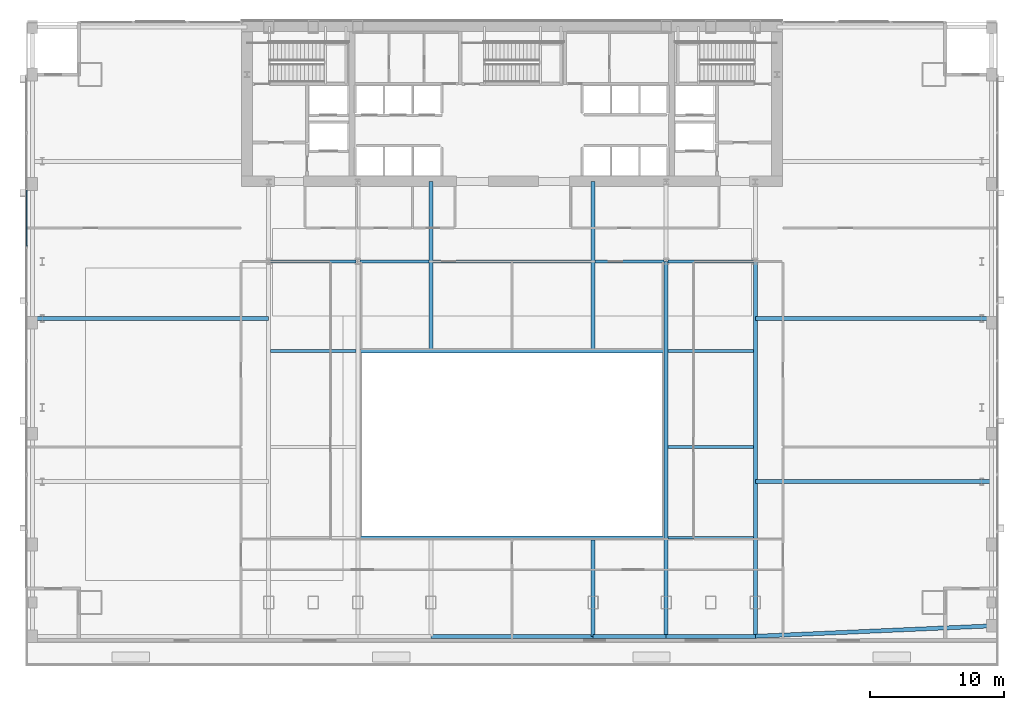
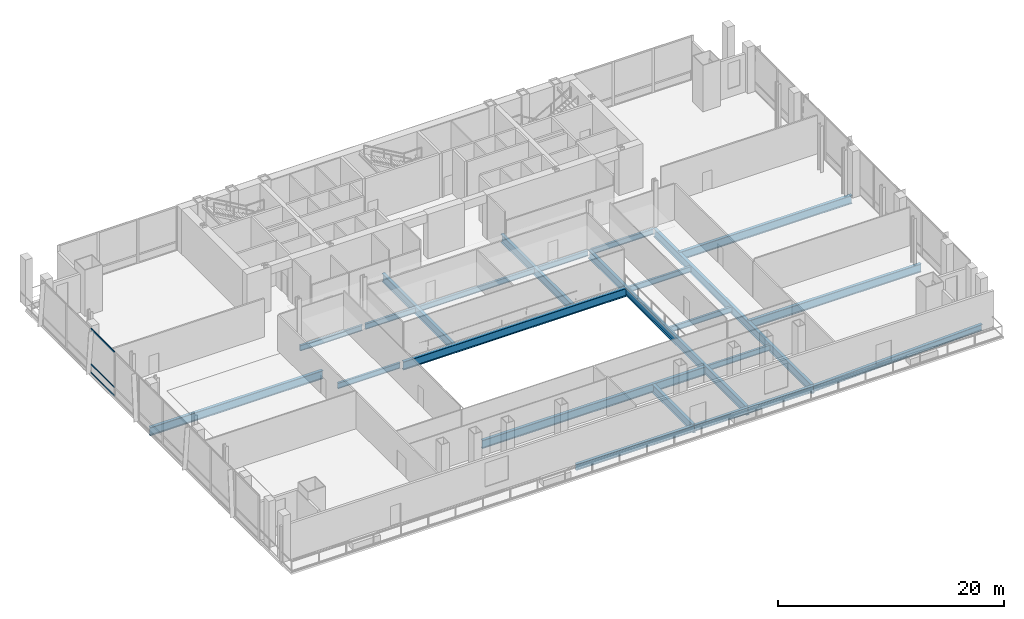
# One storey, part 9 of 25: 23 beams, 3 members, 1 element without a shape of its own.
"""IFC4 building model written with IfcOpenShell, lengths in metres."""

from ifc_helpers import new_model, si_unit, direction, frame, origin, origin_2d, place, context, subcontext, project, spatial, hollow_rectangle, i_section, extrude, material, material_profile, profile_set, type_object, element, aggregate, save


model = new_model("IFC4")

# Units and contexts
model_context = context("Model", 3, precision=1e-05, world=origin(), true_north=direction((0.0, 1.0)))
body_context = subcontext(model_context, "Body", "Model", "MODEL_VIEW")
ifc_project = project(units=[si_unit("LENGTHUNIT", "METRE"), si_unit("AREAUNIT", "SQUARE_METRE"), si_unit("VOLUMEUNIT", "CUBIC_METRE"), si_unit("PLANEANGLEUNIT", "RADIAN"), si_unit("MASSUNIT", "GRAM", prefix="KILO")], contexts=[model_context])

# Site, building, storey
site_placement = place(None, origin())
site = spatial("IfcSite", under=ifc_project, at=site_placement, CompositionType="ELEMENT")
building_placement = place(site_placement, origin())
building = spatial("IfcBuilding", under=site, at=building_placement, Name="Khoronbel Lancet Exchange", CompositionType="ELEMENT")
storey_placement = place(building_placement, frame((0.0, 0.0, 10.39990234375)))
storey = spatial("IfcBuildingStorey", under=building, at=storey_placement, Name="L02", CompositionType="ELEMENT", Elevation=10.39990234375)

# Beams
ifc_material_1 = material(Name="Steel S355", Category="steel")
ifc_material_profile_1 = material_profile(ifc_material_1, i_section(OverallWidth=0.300048828125, OverallDepth=0.89990234375, WebThickness=0.0185546875, FlangeThickness=0.034912109375, at=origin_2d()), Name="HEB 900")
ifc_profile_set_1 = profile_set([ifc_material_profile_1], Name="Steel S355")
beam_type_1 = type_object("IfcBeamType", Name="BM-BG1", PredefinedType="BEAM", material=ifc_profile_set_1)
for number, where, z_axis, x_axis, name in (
    (1, (25.050048828125, 15.0, -0.64990234375), (1.0, 0.0, 0.0), (0.0, 1.0, 0.0), "Level L02 exchange hall void header girder ATRS"),
    (2, (25.050048828125, 29.0, -0.64990234375), (1.0, 0.0, 0.0), (0.0, 1.0, 0.0), "Level L02 exchange hall void header girder ATRN"),
):
    element("IfcBeam", number, at=place(storey_placement, frame(where, z_axis=z_axis, x_axis=x_axis)), inside=storey, type_object=beam_type_1, Name=name, PredefinedType="BEAM", context=body_context, shape_type="SweptSolid", body=[
        extrude(i_section(OverallWidth=0.300048828125, OverallDepth=0.89990234375, WebThickness=0.0185546875, FlangeThickness=0.034912109375, at=origin_2d()), origin(), (0.0, 0.0, 1.0), 22.800048828125),
    ])
beam_1_placement = place(storey_placement, frame((30.375, 29.14990234375, -0.64990234375), z_axis=(0.0, 1.0, 0.0), x_axis=(-1.0, 0.0, 0.0)))
element("IfcBeam", 3, at=beam_1_placement, inside=storey, type_object=beam_type_1, Name="Level L02 north gallery girder GN3", PredefinedType="BEAM", context=body_context, shape_type="SweptSolid", body=[
    extrude(i_section(OverallWidth=0.300048828125, OverallDepth=0.89990234375, WebThickness=0.0185546875, FlangeThickness=0.034912109375, at=origin_2d()), origin(), (0.0, 0.0, 1.0), 12.550048828125),
])
beam_2_placement = place(storey_placement, frame((42.52490234375, 7.6201171875, -0.64990234375), z_axis=(0.0, 1.0, 0.0), x_axis=(-1.0, 0.0, 0.0)))
element("IfcBeam", 4, at=beam_2_placement, inside=storey, type_object=beam_type_1, Name="Level L02 south gallery & terrace cantilever girder GS4", PredefinedType="BEAM", context=body_context, shape_type="SweptSolid", body=[
    extrude(i_section(OverallWidth=0.300048828125, OverallDepth=0.89990234375, WebThickness=0.0185546875, FlangeThickness=0.034912109375, at=origin_2d()), origin(), (0.0, 0.0, 1.0), 7.22998046875),
])
beam_3_placement = place(storey_placement, frame((42.52490234375, 29.14990234375, -0.64990234375), z_axis=(0.0, 1.0, 0.0), x_axis=(-1.0, 0.0, 0.0)))
element("IfcBeam", 5, at=beam_3_placement, inside=storey, type_object=beam_type_1, Name="Level L02 north gallery girder GN4", PredefinedType="BEAM", context=body_context, shape_type="SweptSolid", body=[
    extrude(i_section(OverallWidth=0.300048828125, OverallDepth=0.89990234375, WebThickness=0.0185546875, FlangeThickness=0.034912109375, at=origin_2d()), origin(), (0.0, 0.0, 1.0), 12.550048828125),
])
for number, where, z_axis, x_axis, name in (
    (6, (48.0, 7.6201171875, -0.64990234375), (0.0, 1.0, 0.0), (-1.0, 0.0, 0.0), "Level L02 south primary girder GS5"),
    (7, (54.675048828125, 7.6201171875, -0.64990234375), (0.0, 1.0, 0.0), (-1.0, 0.0, 0.0), "Level L02 south primary girder GS6"),
):
    element("IfcBeam", number, at=place(storey_placement, frame(where, z_axis=z_axis, x_axis=x_axis)), inside=storey, type_object=beam_type_1, Name=name, PredefinedType="BEAM", context=body_context, shape_type="SweptSolid", body=[
        extrude(i_section(OverallWidth=0.300048828125, OverallDepth=0.89990234375, WebThickness=0.0185546875, FlangeThickness=0.034912109375, at=origin_2d()), origin(), (0.0, 0.0, 1.0), 28.079833984375),
    ])
for number, where, z_axis, x_axis, name in (
    (8, (54.675048828125, 19.199951171875, -0.64990234375), (1.0, 0.0, 0.0), (0.0, 1.0, 0.0), "Level L02 east lens tie girder LG1E"),
    (9, (0.550048828125, 31.425048828125, -0.64990234375), (1.0, 0.0, 0.0), (0.0, 1.0, 0.0), "Level L02 west lens tie girder LG2W"),
    (10, (54.675048828125, 31.425048828125, -0.64990234375), (1.0, 0.0, 0.0), (0.0, 1.0, 0.0), "Level L02 east lens tie girder LG2E"),
):
    element("IfcBeam", number, at=place(storey_placement, frame(where, z_axis=z_axis, x_axis=x_axis)), inside=storey, type_object=beam_type_1, Name=name, PredefinedType="BEAM", context=body_context, shape_type="SweptSolid", body=[
        extrude(i_section(OverallWidth=0.300048828125, OverallDepth=0.89990234375, WebThickness=0.0185546875, FlangeThickness=0.034912109375, at=origin_2d()), origin(), (0.0, 0.0, 1.0), 17.675048828125),
    ])
ifc_material_profile_2 = material_profile(ifc_material_1, i_section(OverallWidth=0.219970703125, OverallDepth=0.60009765625, WebThickness=0.011962890625, FlangeThickness=0.01904296875, at=origin_2d()), Name="IPE 600")
ifc_profile_set_2 = profile_set([ifc_material_profile_2], Name="Steel S355")
beam_type_2 = type_object("IfcBeamType", Name="BM-BJ1", PredefinedType="JOIST", material=ifc_profile_set_2)
for number, where, z_axis, x_axis, name in (
    (11, (48.14990234375, 15.0, -0.5), (1.0, 0.0, 0.0), (0.0, 1.0, 0.0), "Level L02 secondary composite joist J02"),
    (12, (48.14990234375, 21.800048828125, -0.5), (1.0, 0.0, 0.0), (0.0, 1.0, 0.0), "Level L02 secondary composite joist J04"),
    (13, (18.375, 29.0, -0.5), (1.0, 0.0, 0.0), (0.0, 1.0, 0.0), "Level L02 secondary composite joist J05"),
    (14, (48.14990234375, 29.0, -0.5), (1.0, 0.0, 0.0), (0.0, 1.0, 0.0), "Level L02 secondary composite joist J06"),
    (15, (18.375, 35.699951171875, -0.5), (1.0, 0.0, 0.0), (0.0, 1.0, 0.0), "Level L02 secondary composite joist J07"),
):
    element("IfcBeam", number, at=place(storey_placement, frame(where, z_axis=z_axis, x_axis=x_axis)), inside=storey, type_object=beam_type_2, Name=name, PredefinedType="JOIST", context=body_context, shape_type="SweptSolid", body=[
        extrude(i_section(OverallWidth=0.219970703125, OverallDepth=0.60009765625, WebThickness=0.011962890625, FlangeThickness=0.01904296875, at=origin_2d()), origin(), (0.0, 0.0, 1.0), 6.375),
    ])
beam_4_placement = place(storey_placement, frame((25.050048828125, 35.699951171875, -0.5), z_axis=(1.0, 0.0, 0.0), x_axis=(0.0, 1.0, 0.0)))
element("IfcBeam", 16, at=beam_4_placement, inside=storey, type_object=beam_type_2, Name="Level L02 secondary composite joist J08", PredefinedType="JOIST", context=body_context, shape_type="SweptSolid", body=[
    extrude(i_section(OverallWidth=0.219970703125, OverallDepth=0.60009765625, WebThickness=0.011962890625, FlangeThickness=0.01904296875, at=origin_2d()), origin(), (0.0, 0.0, 1.0), 5.175048828125),
])
beam_5_placement = place(storey_placement, frame((30.52490234375, 35.699951171875, -0.5), z_axis=(1.0, 0.0, 0.0), x_axis=(0.0, 1.0, 0.0)))
element("IfcBeam", 17, at=beam_5_placement, inside=storey, type_object=beam_type_2, Name="Level L02 secondary composite joist J09", PredefinedType="JOIST", context=body_context, shape_type="SweptSolid", body=[
    extrude(i_section(OverallWidth=0.219970703125, OverallDepth=0.60009765625, WebThickness=0.011962890625, FlangeThickness=0.01904296875, at=origin_2d()), origin(), (0.0, 0.0, 1.0), 11.85009765625),
])
beam_6_placement = place(storey_placement, frame((42.675048828125, 35.699951171875, -0.5), z_axis=(1.0, 0.0, 0.0), x_axis=(0.0, 1.0, 0.0)))
element("IfcBeam", 18, at=beam_6_placement, inside=storey, type_object=beam_type_2, Name="Level L02 secondary composite joist J10", PredefinedType="JOIST", context=body_context, shape_type="SweptSolid", body=[
    extrude(i_section(OverallWidth=0.219970703125, OverallDepth=0.60009765625, WebThickness=0.011962890625, FlangeThickness=0.01904296875, at=origin_2d()), origin(), (0.0, 0.0, 1.0), 5.175048828125),
])
beam_7_placement = place(storey_placement, frame((48.14990234375, 35.699951171875, -0.5), z_axis=(1.0, 0.0, 0.0), x_axis=(0.0, 1.0, 0.0)))
element("IfcBeam", 19, at=beam_7_placement, inside=storey, type_object=beam_type_2, Name="Level L02 secondary composite joist J11", PredefinedType="JOIST", context=body_context, shape_type="SweptSolid", body=[
    extrude(i_section(OverallWidth=0.219970703125, OverallDepth=0.60009765625, WebThickness=0.011962890625, FlangeThickness=0.01904296875, at=origin_2d()), origin(), (0.0, 0.0, 1.0), 6.375),
])
ifc_material_profile_3 = material_profile(ifc_material_1, i_section(OverallWidth=0.300048828125, OverallDepth=0.64990234375, WebThickness=0.01611328125, FlangeThickness=0.031005859375, at=origin_2d()), Name="HEB 650")
ifc_profile_set_3 = profile_set([ifc_material_profile_3], Name="Steel S355")
beam_type_3 = type_object("IfcBeamType", Name="BM-BSP1", PredefinedType="SPANDREL", material=ifc_profile_set_3)
beam_8_placement = place(storey_placement, frame((30.375, 7.6201171875, -0.52490234375), z_axis=(1.0, 0.0, 0.0), x_axis=(0.0, 1.0, 0.0)))
element("IfcBeam", 20, at=beam_8_placement, inside=storey, type_object=beam_type_3, Name="Level L02 perimeter spandrel beam SP04", PredefinedType="SPANDREL", context=body_context, shape_type="SweptSolid", body=[
    extrude(i_section(OverallWidth=0.300048828125, OverallDepth=0.64990234375, WebThickness=0.01611328125, FlangeThickness=0.031005859375, at=origin_2d()), origin(), (0.0, 0.0, 1.0), 12.14990234375),
])
beam_9_placement = place(storey_placement, frame((42.52490234375, 7.6201171875, -0.52490234375), z_axis=(1.0, 0.0, 0.0), x_axis=(0.0, 1.0, 0.0)))
element("IfcBeam", 21, at=beam_9_placement, inside=storey, type_object=beam_type_3, Name="Level L02 perimeter spandrel beam SP05", PredefinedType="SPANDREL", context=body_context, shape_type="SweptSolid", body=[
    extrude(i_section(OverallWidth=0.300048828125, OverallDepth=0.64990234375, WebThickness=0.01611328125, FlangeThickness=0.031005859375, at=origin_2d()), origin(), (0.0, 0.0, 1.0), 5.47509765625),
])
beam_10_placement = place(storey_placement, frame((48.0, 7.6201171875, -0.52490234375), z_axis=(1.0, 0.0, 0.0), x_axis=(0.0, 1.0, 0.0)))
element("IfcBeam", 22, at=beam_10_placement, inside=storey, type_object=beam_type_3, Name="Level L02 perimeter spandrel beam SP06", PredefinedType="SPANDREL", context=body_context, shape_type="SweptSolid", body=[
    extrude(i_section(OverallWidth=0.300048828125, OverallDepth=0.64990234375, WebThickness=0.01611328125, FlangeThickness=0.031005859375, at=origin_2d()), origin(), (0.0, 0.0, 1.0), 6.675048828125),
])
beam_11_placement = place(storey_placement, frame((54.675048828125, 7.6201171875, -0.52490234375), z_axis=(0.999028226002, 0.044074977608, 0.0), x_axis=(-0.044074977608, 0.999028226002, 0.0)))
element("IfcBeam", 23, at=beam_11_placement, inside=storey, type_object=beam_type_3, Name="Level L02 perimeter spandrel beam SP07", PredefinedType="SPANDREL", context=body_context, shape_type="SweptSolid", body=[
    extrude(i_section(OverallWidth=0.300048828125, OverallDepth=0.64990234375, WebThickness=0.01611328125, FlangeThickness=0.031005859375, at=origin_2d()), origin(), (0.0, 0.0, 1.0), 17.692138671875),
])

# Curtain wall, members
ifc_material_2 = material(Name="Low-E Solar Control Insulating Glass", Category="glass")
curtain_wall_type = type_object("IfcCurtainWallType", Name="CW-5", PredefinedType="NOTDEFINED", material=ifc_material_2)
curtain_wall_placement = place(storey_placement, origin())
curtain_wall = element("IfcCurtainWall", 24, at=curtain_wall_placement, inside=storey, type_object=curtain_wall_type, Name="Unitised curtain wall CW-L02-WEST", PredefinedType="NOTDEFINED")
ifc_material_3 = material(Name="Bronze-Anodised Aluminium 6063-T6", Category="aluminium")
ifc_material_profile_4 = material_profile(ifc_material_3, hollow_rectangle(XDim=0.074951171875, YDim=0.14990234375, WallThickness=0.00439453125, at=origin_2d()), Name="ALU TRANSOM 75x150")
ifc_profile_set_4 = profile_set([ifc_material_profile_4], Name="Bronze-Anodised Aluminium 6063-T6")
member_type = type_object("IfcMemberType", Name="MEM-CWT2", PredefinedType="USERDEFINED", material=ifc_profile_set_4)
member_1_placement = place(storey_placement, frame((0.10009765625, 41.024169921875, 0.03759765625), z_axis=(0.0, -1.0, 0.0), x_axis=(1.0, 0.0, 0.0)))
member_1 = element("IfcMember", 25, at=member_1_placement, type_object=member_type, Name="CW5 transom 3.1", ObjectType="TRANSOM", PredefinedType="USERDEFINED", context=body_context, shape_type="SweptSolid", body=[
    extrude(hollow_rectangle(XDim=0.074951171875, YDim=0.14990234375, WallThickness=0.00439453125, at=origin_2d()), origin(), (0.0, 0.0, 1.0), 4.181640625),
])
member_2_placement = place(storey_placement, frame((0.10009765625, 41.024169921875, 0.9501953125), z_axis=(0.0, -1.0, 0.0), x_axis=(1.0, 0.0, 0.0)))
member_2 = element("IfcMember", 26, at=member_2_placement, type_object=member_type, Name="CW5 transom 3.2", ObjectType="TRANSOM", PredefinedType="USERDEFINED", context=body_context, shape_type="SweptSolid", body=[
    extrude(hollow_rectangle(XDim=0.074951171875, YDim=0.14990234375, WallThickness=0.00439453125, at=origin_2d()), origin(), (0.0, 0.0, 1.0), 4.181640625),
])
member_3_placement = place(storey_placement, frame((0.10009765625, 41.024169921875, 4.7626953125), z_axis=(0.0, -1.0, 0.0), x_axis=(1.0, 0.0, 0.0)))
member_3 = element("IfcMember", 27, at=member_3_placement, type_object=member_type, Name="CW5 transom 3.3", ObjectType="TRANSOM", PredefinedType="USERDEFINED", context=body_context, shape_type="SweptSolid", body=[
    extrude(hollow_rectangle(XDim=0.074951171875, YDim=0.14990234375, WallThickness=0.00439453125, at=origin_2d()), origin(), (0.0, 0.0, 1.0), 4.181640625),
])
aggregate(curtain_wall, [member_1, member_2, member_3])

save(model, "model.ifc")
